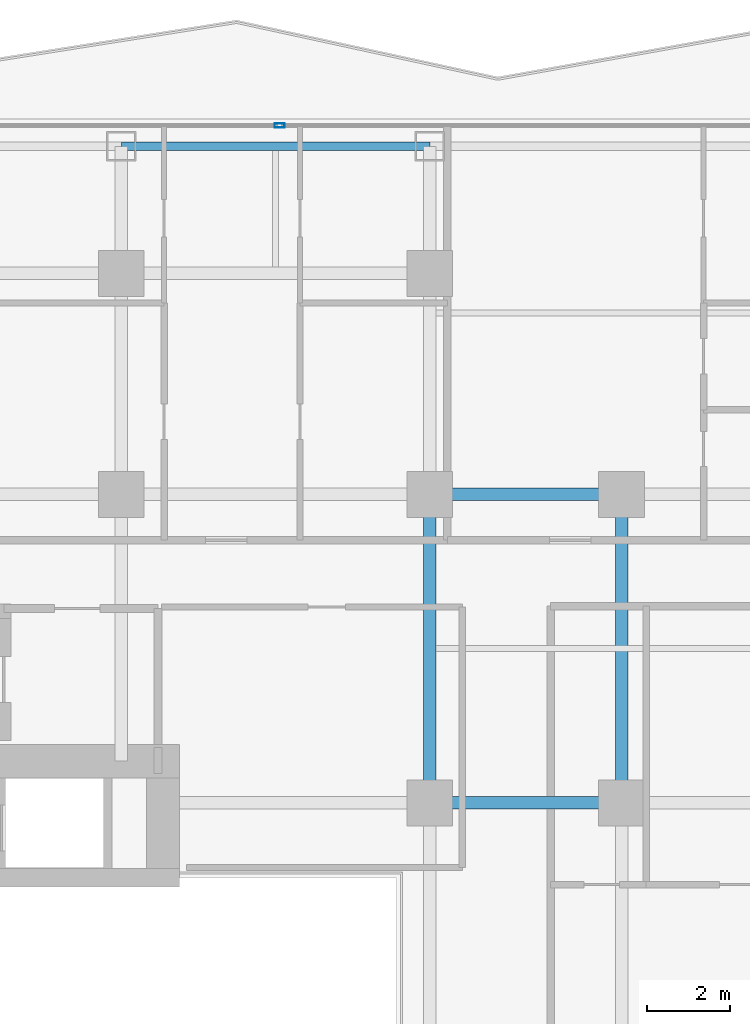
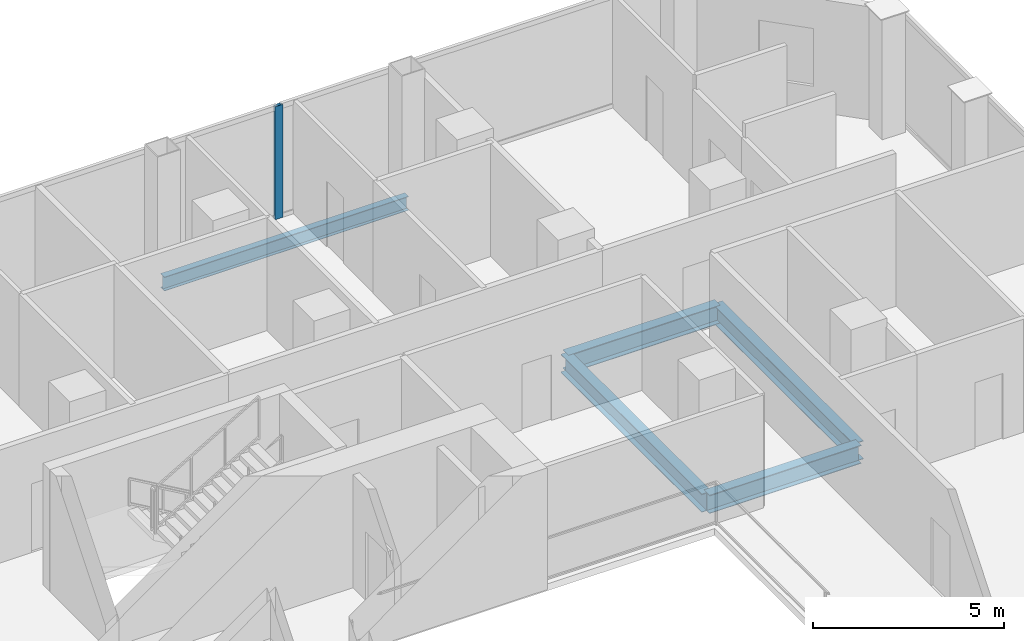
# One storey, part 16 of 27: 5 beams, 1 member, 1 element without a shape of its own.
"""IFC4 building model written with IfcOpenShell, lengths in metres."""

import ifcopenshell
import ifcopenshell.guid

model = None  # the IFC model being written
_history = None  # IfcOwnerHistory: only IFC2X3 demands one
_inside = {}  # id of a spatial element -> (the spatial element, [elements in it])
_under = {}  # id of a project, library or spatial element -> (it, [spatial elements below it])
_declared = {}  # id of a project -> (the project, [libraries it declares])
_typed = {}  # id of a type object -> (the type object, [elements of that type])
_made_of = {}  # id of a material, layer set ... -> (it, [elements and type objects made of it])


def new_model(schema):
    """Start an empty IFC model of exactly this schema.

    Asked for "IFC4X3", IfcOpenShell would pick the latest addendum, in which some entities
    have other attributes; the version numbers below select the first issue.
    IFC2X3 requires an IfcOwnerHistory on every rooted entity: one is made here for all.
    """
    global model, _history
    if schema == "IFC4X3":
        model = ifcopenshell.file(schema_version=(4, 3, 0, 0))
    else:
        model = ifcopenshell.file(schema=schema)
    _inside.clear()
    _under.clear()
    _declared.clear()
    _typed.clear()
    _made_of.clear()
    _history = None
    if model.schema == "IFC2X3":
        org = make("IfcOrganization", Name="unknown")
        user = make(
            "IfcPersonAndOrganization",
            ThePerson=make("IfcPerson", FamilyName="unknown"),
            TheOrganization=org,
        )
        app = make(
            "IfcApplication",
            ApplicationDeveloper=org,
            Version="unknown",
            ApplicationFullName="unknown",
            ApplicationIdentifier="unknown",
        )
        _history = make(
            "IfcOwnerHistory",
            OwningUser=user,
            OwningApplication=app,
            ChangeAction="ADDED",
            CreationDate=0,
        )
    return model


def make(cls, **values):
    """One entity of the class cls with the attributes given. An attribute that is None is left unset."""
    return model.create_entity(
        cls, **{name: value for name, value in values.items() if value is not None}
    )


def rooted(cls, **values):
    """An entity with a GlobalId (a new one), such as an element, a storey or a relation."""
    return make(cls, GlobalId=ifcopenshell.guid.new(), OwnerHistory=_history, **values)


def si_unit(unit_type, name, prefix=None):
    """IfcSIUnit, for example si_unit("LENGTHUNIT", "METRE", prefix="MILLI")."""
    return make("IfcSIUnit", UnitType=unit_type, Prefix=prefix, Name=name)


def assignment(units):
    """IfcUnitAssignment: the units of a project."""
    return None if units is None else make("IfcUnitAssignment", Units=units)


def point(xyz):
    """IfcCartesianPoint."""
    return None if xyz is None else make("IfcCartesianPoint", Coordinates=xyz)


def direction(xyz):
    """IfcDirection."""
    return None if xyz is None else make("IfcDirection", DirectionRatios=xyz)


def frame(location, z_axis=None, x_axis=None):
    """IfcAxis2Placement3D, a coordinate frame: its origin and axes. An axis left out is left unset."""
    return make(
        "IfcAxis2Placement3D",
        Location=point(location),
        Axis=direction(z_axis),
        RefDirection=direction(x_axis),
    )


def frame_2d(location, x_axis=None):
    """IfcAxis2Placement2D, a coordinate frame in the plane: its origin and x axis."""
    return make(
        "IfcAxis2Placement2D", Location=point(location), RefDirection=direction(x_axis)
    )


def origin():
    """The frame at (0, 0, 0) with its axes left unset."""
    return frame((0.0, 0.0, 0.0))


def origin_2d():
    """The frame at (0, 0) in the plane with its x axis left unset."""
    return frame_2d((0.0, 0.0))


def place(relative_to, where):
    """IfcLocalPlacement: puts the frame where relative to a parent placement (None: the world)."""
    return make(
        "IfcLocalPlacement", PlacementRelTo=relative_to, RelativePlacement=where
    )


def context(
    kind, dimensions, precision=None, world=None, true_north=None, identifier=None
):
    """IfcGeometricRepresentationContext, for example the 3D "Model" context."""
    return make(
        "IfcGeometricRepresentationContext",
        ContextIdentifier=identifier,
        ContextType=kind,
        CoordinateSpaceDimension=dimensions,
        Precision=precision,
        WorldCoordinateSystem=world,
        TrueNorth=true_north,
    )


def subcontext(parent, identifier, kind, view, scale=None):
    """IfcGeometricRepresentationSubContext, for example "Body" below "Model"."""
    return make(
        "IfcGeometricRepresentationSubContext",
        ContextIdentifier=identifier,
        ContextType=kind,
        ParentContext=parent,
        TargetScale=scale,
        TargetView=view,
    )


def project(units=None, contexts=None):
    """IfcProject with its units and contexts."""
    return rooted(
        "IfcProject",
        Name="project",
        RepresentationContexts=contexts,
        UnitsInContext=assignment(units),
    )


def spatial(cls, under=None, at=None, **own):
    """A site, building, storey or space (cls), placed at a placement, below another one or the project."""
    s = rooted(cls, ObjectPlacement=at, **own)
    if under is not None:
        _under.setdefault(under.id(), (under, []))[1].append(s)
    return s


def profile(cls, at=None, kind="AREA", **sizes):
    """A parametric profile (cls). Its sizes go by their IFC names, for example OverallWidth=200.0."""
    return make(cls, ProfileType=kind, Position=at, **sizes)


def hollow_rectangle(**sizes):
    """IfcRectangleHollowProfileDef."""
    return profile("IfcRectangleHollowProfileDef", **sizes)


def i_section(**sizes):
    """IfcIShapeProfileDef."""
    return profile("IfcIShapeProfileDef", **sizes)


def extrude(swept, where, along, depth):
    """IfcExtrudedAreaSolid: the profile swept, set in the frame where, extruded along a direction by depth."""
    return make(
        "IfcExtrudedAreaSolid",
        SweptArea=swept,
        Position=where,
        ExtrudedDirection=direction(along),
        Depth=depth,
    )


def shape(context_of_items, identifier, shape_type, items):
    """IfcShapeRepresentation: the items that make up one representation, for example the "Body"."""
    return make(
        "IfcShapeRepresentation",
        ContextOfItems=context_of_items,
        RepresentationIdentifier=identifier,
        RepresentationType=shape_type,
        Items=items,
    )


def material(Name=None, Category=None):
    """IfcMaterial."""
    return make("IfcMaterial", Name=Name, Category=Category)


def layer(
    of_material, thickness, ventilated=None, Name=None, Category=None, Priority=None
):
    """IfcMaterialLayer: one layer of a wall or slab, of a material (None: an air gap)."""
    return make(
        "IfcMaterialLayer",
        Material=of_material,
        LayerThickness=thickness,
        IsVentilated=ventilated,
        Name=Name,
        Category=Category,
        Priority=Priority,
    )


def layer_set(layers, Name=None):
    """IfcMaterialLayerSet."""
    return make("IfcMaterialLayerSet", MaterialLayers=layers, LayerSetName=Name)


def material_profile(
    of_material, cross_section, Name=None, Category=None, Priority=None
):
    """IfcMaterialProfile: a cross section and its material."""
    return make(
        "IfcMaterialProfile",
        Name=Name,
        Material=of_material,
        Profile=cross_section,
        Priority=Priority,
        Category=Category,
    )


def profile_set(profiles, Name=None, composite=None):
    """IfcMaterialProfileSet."""
    return make(
        "IfcMaterialProfileSet",
        Name=Name,
        MaterialProfiles=profiles,
        CompositeProfile=composite,
    )


def made_of(thing, what):
    """Note that an element or type object is made of a material, layer set ...; save() writes the relation."""
    if what is not None:
        _made_of.setdefault(what.id(), (what, []))[1].append(thing)
    return thing


def type_object(cls, material=None, **own):
    """A type object (cls), such as IfcWallType, which elements share."""
    return made_of(rooted(cls, **own), material)


def element(
    cls,
    number,
    at=None,
    inside=None,
    cuts=None,
    type_object=None,
    material=None,
    context=None,
    identifier="Body",
    shape_type=None,
    held_by="IfcProductDefinitionShape",
    body=None,
    shapes=None,
    **own,
):
    """One element of the class cls, such as IfcWall. Its Tag is "e" and its number.

    at: its placement. inside: the storey or other place that contains it. cuts: it is an
    opening in that element (IfcRelVoidsElement). A single representation is given by context,
    identifier, shape_type and body (its items); several are given by shapes. held_by: the class
    of the entity that holds the representations. save() writes the other relations.
    """
    e = rooted(cls, Tag="e%d" % number, ObjectPlacement=at, **own)
    if body is not None:
        shapes = [shape(context, identifier, shape_type, body)]
    if shapes is not None:
        e.Representation = make(held_by, Representations=shapes)
    if inside is not None:
        _inside.setdefault(inside.id(), (inside, []))[1].append(e)
    if cuts is not None:
        rooted(
            "IfcRelVoidsElement", RelatingBuildingElement=cuts, RelatedOpeningElement=e
        )
    if type_object is not None:
        _typed.setdefault(type_object.id(), (type_object, []))[1].append(e)
    return made_of(e, material)


def aggregate(whole, parts):
    """IfcRelAggregates: a whole, such as a stair, and the parts it consists of."""
    return rooted("IfcRelAggregates", RelatingObject=whole, RelatedObjects=parts)


def save(model, path):
    """Write the relations noted so far, then the file.

    IfcRelAggregates (storeys below a building ...), IfcRelContainedInSpatialStructure (elements
    in a storey), IfcRelDefinesByType, IfcRelAssociatesMaterial and IfcRelDeclares: one each for
    every whole, place, type object, material and project.
    """
    for whole, parts in _under.values():
        aggregate(whole, parts)
    for where, things in _inside.values():
        rooted(
            "IfcRelContainedInSpatialStructure",
            RelatedElements=things,
            RelatingStructure=where,
        )
    for kind, things in _typed.values():
        rooted("IfcRelDefinesByType", RelatedObjects=things, RelatingType=kind)
    for what, things in _made_of.values():
        rooted("IfcRelAssociatesMaterial", RelatedObjects=things, RelatingMaterial=what)
    for by, libraries in _declared.values():
        rooted("IfcRelDeclares", RelatingContext=by, RelatedDefinitions=libraries)
    model.write(path)


model = new_model("IFC4")

# Units and contexts
model_context = context("Model", 3, precision=1e-05, world=origin(), true_north=direction((0.0, 1.0)))
body_context = subcontext(model_context, "Body", "Model", "MODEL_VIEW")
ifc_project = project(units=[si_unit("LENGTHUNIT", "METRE"), si_unit("AREAUNIT", "SQUARE_METRE"), si_unit("VOLUMEUNIT", "CUBIC_METRE"), si_unit("PLANEANGLEUNIT", "RADIAN"), si_unit("MASSUNIT", "GRAM", prefix="KILO")], contexts=[model_context])

# Site, building, storey
site_placement = place(None, origin())
site = spatial("IfcSite", under=ifc_project, at=site_placement, CompositionType="ELEMENT")
building_placement = place(site_placement, origin())
building = spatial("IfcBuilding", under=site, at=building_placement, Name="Khorvyn Point Tower", CompositionType="ELEMENT")
storey_placement = place(building_placement, frame((0.0, 0.0, 164.10009765625)))
storey = spatial("IfcBuildingStorey", under=building, at=storey_placement, Name="L40", CompositionType="ELEMENT", Elevation=164.10009765625)

# Curtain wall, member
ifc_material_1 = material(Name="Anodised aluminium 6063-T6 and laminated Low-E glass", Category="aluminium")
ifc_layer = layer(ifc_material_1, 0.18994140625)
ifc_layer_set = layer_set([ifc_layer], Name="Stick-Built Acoustic Curtain Wall CW-SYS-03")
curtain_wall_type = type_object("IfcCurtainWallType", Name="Stick-Built Acoustic Curtain Wall CW-SYS-03", PredefinedType="NOTDEFINED", material=ifc_layer_set)
curtain_wall_placement = place(storey_placement, origin())
curtain_wall = element("IfcCurtainWall", 1, at=curtain_wall_placement, inside=storey, type_object=curtain_wall_type, Name="Curtain Wall", PredefinedType="NOTDEFINED")
ifc_material_2 = material(Name="Anodised aluminium 6063-T6", Category="aluminium")
ifc_material_profile_1 = material_profile(ifc_material_2, hollow_rectangle(XDim=0.10009765625, YDim=0.239990234375, WallThickness=0.0048828125, at=origin_2d()))
ifc_profile_set_1 = profile_set([ifc_material_profile_1], Name="Anodised aluminium 6063-T6 ALU-MUL-100x240")
member_type = type_object("IfcMemberType", Name="Anodised Aluminium 6063-T6 Mullion ALU-MUL-100x240", PredefinedType="MULLION", material=ifc_profile_set_1)
member_placement = place(storey_placement, frame((11.197021484375, 23.64990234375, 0.0), z_axis=(0.0, 0.0, 1.0), x_axis=(0.0, 1.0, 0.0)))
member = element("IfcMember", 2, at=member_placement, type_object=member_type, Name="Transom", PredefinedType="MULLION", context=body_context, shape_type="SweptSolid", body=[
    extrude(hollow_rectangle(XDim=0.10009765625, YDim=0.239990234375, WallThickness=0.0048828125, at=origin_2d()), origin(), (0.0, 0.0, 1.0), 3.619873046875),
])
aggregate(curtain_wall, [member])

# Beams
ifc_material_3 = material(Name="Steel S355", Category="steel")
ifc_material_profile_2 = material_profile(ifc_material_3, i_section(OverallWidth=0.300048828125, OverallDepth=0.587890625, WebThickness=0.011962890625, FlangeThickness=0.02001953125, at=origin_2d()))
ifc_profile_set_2 = profile_set([ifc_material_profile_2], Name="Steel S355 H588x300x12x20")
beam_type_1 = type_object("IfcBeamType", Name="Steel S355 Beam H588x300x12x20", PredefinedType="BEAM", material=ifc_profile_set_2)
for number, where, z_axis, x_axis, name in (
    (3, (14.800048828125, 14.800048828125, -0.51416015625), (1.0, 0.0, 0.0), (0.0, 1.0, 0.0), "Beam"),
    (4, (14.800048828125, 7.39990234375, -0.51416015625), (1.0, 0.0, 0.0), (0.0, 1.0, 0.0), "Beam"),
):
    element("IfcBeam", number, at=place(storey_placement, frame(where, z_axis=z_axis, x_axis=x_axis)), inside=storey, type_object=beam_type_1, Name=name, PredefinedType="BEAM", context=body_context, shape_type="SweptSolid", body=[
        extrude(i_section(OverallWidth=0.300048828125, OverallDepth=0.587890625, WebThickness=0.011962890625, FlangeThickness=0.02001953125, at=origin_2d()), origin(), (0.0, 0.0, 1.0), 4.599853515625),
    ])
for number, where, z_axis, x_axis, name in (
    (5, (14.800048828125, 7.39990234375, -0.51416015625), (0.0, 1.0, 0.0), (-1.0, 0.0, 0.0), "Beam"),
    (6, (19.39990234375, 7.39990234375, -0.51416015625), (0.0, 1.0, 0.0), (-1.0, 0.0, 0.0), "Beam"),
):
    element("IfcBeam", number, at=place(storey_placement, frame(where, z_axis=z_axis, x_axis=x_axis)), inside=storey, type_object=beam_type_1, Name=name, PredefinedType="BEAM", context=body_context, shape_type="SweptSolid", body=[
        extrude(i_section(OverallWidth=0.300048828125, OverallDepth=0.587890625, WebThickness=0.011962890625, FlangeThickness=0.02001953125, at=origin_2d()), origin(), (0.0, 0.0, 1.0), 7.400146484375),
    ])
ifc_material_profile_3 = material_profile(ifc_material_3, i_section(OverallWidth=0.199951171875, OverallDepth=0.449951171875, WebThickness=0.009033203125, FlangeThickness=0.013916015625, at=origin_2d()))
ifc_profile_set_3 = profile_set([ifc_material_profile_3], Name="Steel S355 H450x200x9x14")
beam_type_2 = type_object("IfcBeamType", Name="Steel S355 Spandrel H450x200x9x14", PredefinedType="SPANDREL", material=ifc_profile_set_3)
beam_placement = place(storey_placement, frame((7.39990234375, 23.14990234375, -0.445068359375), z_axis=(1.0, 0.0, 0.0), x_axis=(0.0, 1.0, 0.0)))
element("IfcBeam", 7, at=beam_placement, inside=storey, type_object=beam_type_2, Name="Beam", PredefinedType="SPANDREL", context=body_context, shape_type="SweptSolid", body=[
    extrude(i_section(OverallWidth=0.199951171875, OverallDepth=0.449951171875, WebThickness=0.009033203125, FlangeThickness=0.013916015625, at=origin_2d()), origin(), (0.0, 0.0, 1.0), 7.400146484375),
])

save(model, "model.ifc")
